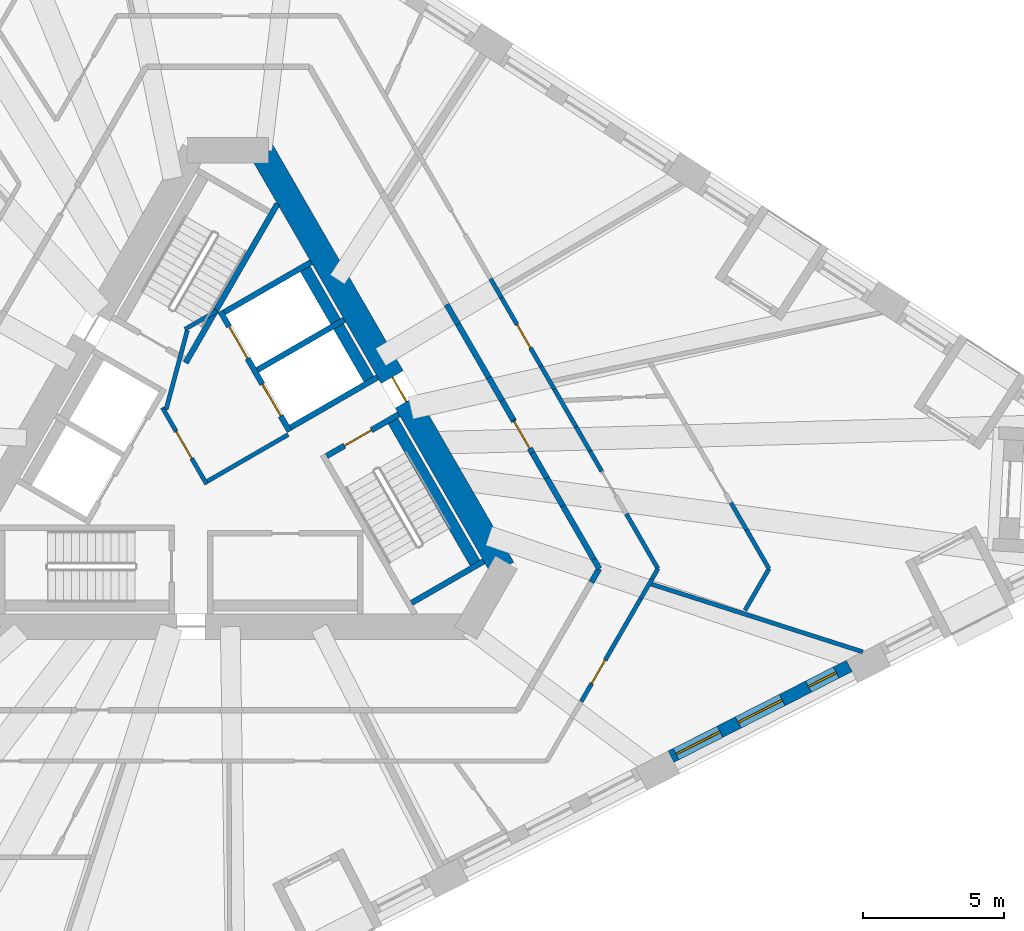
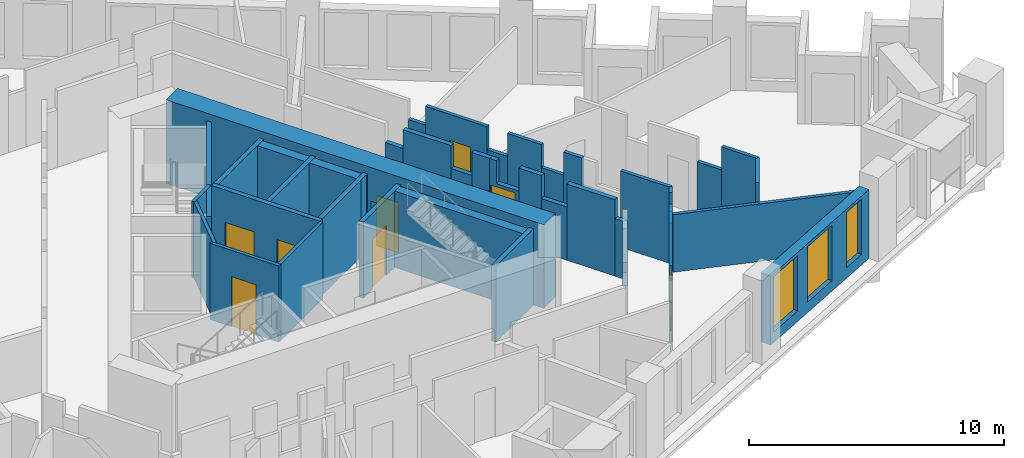
# One storey, part 5 of 12: 39 walls, 8 doors, 3 windows, 11 openings.
"""IFC4 building model written with IfcOpenShell, lengths in metres."""

from ifc_helpers import new_model, si_unit, direction, frame, frame_2d, origin, place, context, subcontext, project, spatial, polyline, rectangle, outline, extrude, material, layer, layer_set, type_object, element, fill, save


model = new_model("IFC4")

# Units and contexts
model_context = context("Model", 3, precision=1e-05, world=origin(), true_north=direction((0.0, 1.0)))
body_context = subcontext(model_context, "Body", "Model", "MODEL_VIEW")
ifc_project = project(units=[si_unit("LENGTHUNIT", "METRE"), si_unit("AREAUNIT", "SQUARE_METRE"), si_unit("VOLUMEUNIT", "CUBIC_METRE"), si_unit("PLANEANGLEUNIT", "RADIAN"), si_unit("MASSUNIT", "GRAM", prefix="KILO")], contexts=[model_context])

# Site, building, storey
site_placement = place(None, origin())
site = spatial("IfcSite", under=ifc_project, at=site_placement, CompositionType="ELEMENT")
building_placement = place(site_placement, origin())
building = spatial("IfcBuilding", under=site, at=building_placement, Name="Tramontana Tower", CompositionType="ELEMENT")
storey_placement = place(building_placement, frame((0.0, 0.0, 133.60009765625)))
storey = spatial("IfcBuildingStorey", under=building, at=storey_placement, Name="L30", CompositionType="ELEMENT", Elevation=133.60009765625)

# Wall, opening, door
ifc_material_1 = material(Name="Concrete 70 MPa", Category="concrete")
ifc_layer_1 = layer(ifc_material_1, 0.89990234375)
ifc_layer_set_1 = layer_set([ifc_layer_1], Name="Core wall 900 70 MPa")
wall_type_1 = type_object("IfcWallType", Name="Core wall 900 70 MPa", PredefinedType="SHEAR", material=ifc_layer_set_1)
wall_1_placement = place(storey_placement, frame((9.728515625, -4.25, 0.0), z_axis=(0.0, 0.0, 1.0), x_axis=(-0.500004814304, 0.866022624227, 0.0)))
wall_1 = element("IfcWall", 1, at=wall_1_placement, inside=storey, type_object=wall_type_1, Name="Core wall C5 L30", PredefinedType="SHEAR", context=body_context, shape_type="SweptSolid", body=[
    extrude(rectangle(XDim=17.089599609375, YDim=0.89990234375, at=frame_2d((8.544921875, 0.0))), origin(), (0.0, 0.0, 1.0), 4.0),
])
opening_1_placement = place(wall_1_placement, frame((6.81982421875, 0.0, 0.0)))
opening_1 = element("IfcOpeningElement", 2, at=opening_1_placement, cuts=wall_1, Name="Opening RG3", PredefinedType="OPENING", context=body_context, shape_type="SweptSolid", body=[
    extrude(rectangle(XDim=1.0, YDim=2.39990234375, at=frame_2d((0.5, 1.199951171875))), frame((0.0, 0.4599609375, 0.0), z_axis=(0.0, -1.0, 0.0), x_axis=(1.0, 0.0, 0.0)), (0.0, 0.0, 1.0), 0.919921875),
])
ifc_material_2 = material(Name="Painted steel", Category="steel")
door_type_1 = type_object("IfcDoorType", Name="RING DOOR 1000", OperationType="SINGLE_SWING_LEFT", PredefinedType="DOOR", material=ifc_material_2)
door_1_placement = place(opening_1_placement, origin())
door_1 = element("IfcDoor", 3, at=door_1_placement, inside=storey, type_object=door_type_1, Name="Door RG3", OperationType="SINGLE_SWING_LEFT", OverallHeight=2.39990234375, OverallWidth=1.0, PredefinedType="DOOR", context=body_context, shape_type="SweptSolid", body=[
    extrude(rectangle(XDim=1.0, YDim=2.39990234375, at=frame_2d((0.5, 1.199951171875))), frame((0.0, 0.02490234375, 0.0), z_axis=(0.0, -1.0, 0.0), x_axis=(1.0, 0.0, 0.0)), (0.0, 0.0, 1.0), 0.050048828125),
])
fill(opening_1, door_1)

# Walls
ifc_material_3 = material(Name="Blockwork", Category="masonry")
ifc_layer_2 = layer(ifc_material_3, 0.199951171875)
ifc_layer_set_2 = layer_set([ifc_layer_2], Name="ENTRY WALL 200")
wall_type_2 = type_object("IfcWallType", Name="ENTRY WALL 200", PredefinedType="SOLIDWALL", material=ifc_layer_set_2)
wall_2_placement = place(storey_placement, frame((7.7421875, 5.090087890625, 0.0), z_axis=(0.0, 0.0, 1.0), x_axis=(0.500109828528, -0.865961984968, 0.0)))
element("IfcWall", 4, at=wall_2_placement, inside=storey, type_object=wall_type_2, Name="Wall v30-ew0-3", PredefinedType="SOLIDWALL", context=body_context, shape_type="SweptSolid", body=[
    extrude(rectangle(XDim=0.800048828125, YDim=0.199951171875, at=frame_2d((0.39990234375, 0.0))), origin(), (0.0, 0.0, 1.0), 2.75),
])
wall_3_placement = place(storey_placement, frame((8.142333984375, 4.397216796875, 0.0), z_axis=(0.0, 0.0, 1.0), x_axis=(0.499948868167, -0.866054922749, 0.0)))
element("IfcWall", 5, at=wall_3_placement, inside=storey, type_object=wall_type_2, Name="Wall v30-ew0-4", PredefinedType="SOLIDWALL", context=body_context, shape_type="SweptSolid", body=[
    extrude(rectangle(XDim=2.177978515625, YDim=0.199951171875, at=frame_2d((1.0888671875, 0.0))), origin(), (0.0, 0.0, 1.0), 3.64990234375),
])
wall_4_placement = place(storey_placement, frame((9.231201171875, 2.510986328125, 0.0), z_axis=(0.0, 0.0, 1.0), x_axis=(0.500118100521, -0.865957207679, 0.0)))
element("IfcWall", 6, at=wall_4_placement, inside=storey, type_object=wall_type_2, Name="Wall v30-ew0-5", PredefinedType="SOLIDWALL", context=body_context, shape_type="SweptSolid", body=[
    extrude(rectangle(XDim=0.943603515625, YDim=0.199951171875, at=frame_2d((0.4716796875, 0.0))), origin(), (0.0, 0.0, 1.0), 2.5498046875),
])
wall_5_placement = place(storey_placement, frame((9.703125, 1.69384765625, 0.0), z_axis=(0.0, 0.0, 1.0), x_axis=(0.499942357345, -0.866058681229, 0.0)))
element("IfcWall", 7, at=wall_5_placement, inside=storey, type_object=wall_type_2, Name="Wall v30-ew0-6", PredefinedType="SOLIDWALL", context=body_context, shape_type="SweptSolid", body=[
    extrude(rectangle(XDim=0.80078125, YDim=0.199951171875, at=frame_2d((0.400390625, 0.0))), origin(), (0.0, 0.0, 1.0), 3.64990234375),
])

# Wall, opening, door
wall_6_placement = place(storey_placement, frame((10.103515625, 1.000244140625, 0.0), z_axis=(0.0, 0.0, 1.0), x_axis=(0.499891098986, -0.866088268685, 0.0)))
wall_6 = element("IfcWall", 8, at=wall_6_placement, inside=storey, type_object=wall_type_2, Name="Wall v30-ew0-7", PredefinedType="SOLIDWALL", context=body_context, shape_type="SweptSolid", body=[
    extrude(outline(polyline([(0.0, 0.0), (1.336669921875, 0.0), (1.336669921875, 2.5498046875), (0.313232421875, 2.5498046875), (0.313232421875, 3.64990234375), (0.0, 3.64990234375), (0.0, 0.0)])), frame((0.0, 0.10009765625, 0.0), z_axis=(0.0, -1.0, 0.0), x_axis=(1.0, 0.0, 0.0)), (0.0, 0.0, 1.0), 0.199951171875),
])
opening_2_placement = place(wall_6_placement, frame((0.050048828125, 0.0, 0.0)))
opening_2 = element("IfcOpeningElement", 9, at=opening_2_placement, cuts=wall_6, Name="Opening B3A-24", PredefinedType="OPENING", context=body_context, shape_type="SweptSolid", body=[
    extrude(rectangle(XDim=1.10009765625, YDim=2.39990234375, at=frame_2d((0.550048828125, 1.199951171875))), frame((0.0, 0.10986328125, 0.0), z_axis=(0.0, -1.0, 0.0), x_axis=(1.0, 0.0, 0.0)), (0.0, 0.0, 1.0), 0.219970703125),
])
ifc_material_4 = material(Name="Painted timber", Category="wood")
door_type_2 = type_object("IfcDoorType", Name="DOOR ENTRY 1100", OperationType="SINGLE_SWING_LEFT", PredefinedType="DOOR", material=ifc_material_4)
door_2_placement = place(opening_2_placement, origin())
door_2 = element("IfcDoor", 10, at=door_2_placement, inside=storey, type_object=door_type_2, Name="Door B3A-24", OperationType="SINGLE_SWING_RIGHT", OverallHeight=2.39990234375, OverallWidth=1.10009765625, PredefinedType="DOOR", context=body_context, shape_type="SweptSolid", body=[
    extrude(rectangle(XDim=1.10009765625, YDim=2.39990234375, at=frame_2d((0.550048828125, 1.199951171875))), frame((0.0, 0.02490234375, 0.0), z_axis=(0.0, -1.0, 0.0), x_axis=(1.0, 0.0, 0.0)), (0.0, 0.0, 1.0), 0.050048828125),
])
fill(opening_2, door_2)

# Walls
wall_7_placement = place(storey_placement, frame((10.771728515625, -0.157470703125, 0.0), z_axis=(0.0, 0.0, 1.0), x_axis=(0.500170198676, -0.865927117231, 0.0)))
element("IfcWall", 11, at=wall_7_placement, inside=storey, type_object=wall_type_2, Name="Wall v30-ew0-8", PredefinedType="SOLIDWALL", context=body_context, shape_type="SweptSolid", body=[
    extrude(rectangle(XDim=1.022705078125, YDim=0.199951171875, at=frame_2d((0.51123046875, 0.0))), origin(), (0.0, 0.0, 1.0), 3.64990234375),
])
wall_8_placement = place(storey_placement, frame((11.283203125, -1.04296875, 0.0), z_axis=(0.0, 0.0, 1.0), x_axis=(0.500001688065, -0.866024429177, 0.0)))
element("IfcWall", 12, at=wall_8_placement, inside=storey, type_object=wall_type_2, Name="Wall v30-ew0-9", PredefinedType="SOLIDWALL", context=body_context, shape_type="SweptSolid", body=[
    extrude(rectangle(XDim=1.13525390625, YDim=0.199951171875, at=frame_2d((0.567626953125, 0.0))), origin(), (0.0, 0.0, 1.0), 2.5498046875),
])
wall_9_placement = place(storey_placement, frame((11.850830078125, -2.026123046875, 0.0), z_axis=(0.0, 0.0, 1.0), x_axis=(0.50001992892, -0.866013897511, 0.0)))
element("IfcWall", 13, at=wall_9_placement, inside=storey, type_object=wall_type_2, Name="Wall v30-ew0-10", PredefinedType="SOLIDWALL", context=body_context, shape_type="SweptSolid", body=[
    extrude(rectangle(XDim=2.1787109375, YDim=0.199951171875, at=frame_2d((1.08935546875, 0.0))), origin(), (0.0, 0.0, 1.0), 3.64990234375),
])
wall_10_placement = place(storey_placement, frame((12.940185546875, -3.912841796875, 0.0), z_axis=(0.0, 0.0, 1.0), x_axis=(0.499849133735, -0.866112488944, 0.0)))
element("IfcWall", 14, at=wall_10_placement, inside=storey, type_object=wall_type_2, Name="Wall v30-ew0-11", PredefinedType="SOLIDWALL", context=body_context, shape_type="SweptSolid", body=[
    extrude(rectangle(XDim=0.38916015625, YDim=0.199951171875, at=frame_2d((0.194580078125, 0.0))), origin(), (0.0, 0.0, 1.0), 2.75),
])
wall_11_placement = place(storey_placement, frame((13.134765625, -4.25, 0.0), z_axis=(0.0, 0.0, 1.0), x_axis=(-0.499887958344, -0.866090081402, 0.0)))
element("IfcWall", 15, at=wall_11_placement, inside=storey, type_object=wall_type_2, Name="Wall v30-ew1-0", PredefinedType="SOLIDWALL", context=body_context, shape_type="SweptSolid", body=[
    extrude(rectangle(XDim=0.553466796875, YDim=0.199951171875, at=frame_2d((0.27685546875, 0.0))), origin(), (0.0, 0.0, 1.0), 2.75),
])

# Wall, openings, windows
ifc_material_5 = material(Name="Precast concrete 60 MPa", Category="concrete")
ifc_layer_3 = layer(ifc_material_5, 0.449951171875)
ifc_layer_set_3 = layer_set([ifc_layer_3], Name="Precast concrete 60 MPa, 450 mm")
wall_type_3 = type_object("IfcWallType", Name="EW1 Stone-faced precast wall 450", PredefinedType="SOLIDWALL", material=ifc_layer_set_3)
wall_12_placement = place(storey_placement, frame((15.6767578125, -10.8955078125, 0.0), z_axis=(0.0, 0.0, 1.0), x_axis=(0.891004189171, 0.45399508244, 0.0)))
wall_12 = element("IfcWall", 16, at=wall_12_placement, inside=storey, type_object=wall_type_3, Name="External wall L30 face 1 bay 5", PredefinedType="SOLIDWALL", context=body_context, shape_type="SweptSolid", body=[
    extrude(rectangle(XDim=7.071533203125, YDim=0.449951171875, at=frame_2d((3.53564453125, 0.0))), origin(), (0.0, 0.0, 1.0), 3.2998046875),
])
opening_3_placement = place(wall_12_placement, frame((0.1953125, 0.0, 0.5)))
opening_3 = element("IfcOpeningElement", 17, at=opening_3_placement, cuts=wall_12, Name="Opening M2", PredefinedType="OPENING", context=body_context, shape_type="SweptSolid", body=[
    extrude(rectangle(XDim=1.75, YDim=2.64990234375, at=frame_2d((0.875, 1.324951171875))), frame((0.0, 0.23486328125, 0.0), z_axis=(0.0, -1.0, 0.0), x_axis=(1.0, 0.0, 0.0)), (0.0, 0.0, 1.0), 0.469970703125),
])
opening_4_placement = place(wall_12_placement, frame((2.660888671875, 0.0, 0.5)))
opening_4 = element("IfcOpeningElement", 18, at=opening_4_placement, cuts=wall_12, Name="Opening M2", PredefinedType="OPENING", context=body_context, shape_type="SweptSolid", body=[
    extrude(rectangle(XDim=1.75, YDim=2.64990234375, at=frame_2d((0.875, 1.324951171875))), frame((0.0, 0.23486328125, 0.0), z_axis=(0.0, -1.0, 0.0), x_axis=(1.0, 0.0, 0.0)), (0.0, 0.0, 1.0), 0.469970703125),
])
opening_5_placement = place(wall_12_placement, frame((5.451416015625, 0.0, 0.5)))
opening_5 = element("IfcOpeningElement", 19, at=opening_5_placement, cuts=wall_12, Name="Opening N2", PredefinedType="OPENING", context=body_context, shape_type="SweptSolid", body=[
    extrude(rectangle(XDim=1.10009765625, YDim=2.64990234375, at=frame_2d((0.550048828125, 1.324951171875))), frame((0.0, 0.23486328125, 0.0), z_axis=(0.0, -1.0, 0.0), x_axis=(1.0, 0.0, 0.0)), (0.0, 0.0, 1.0), 0.469970703125),
])
ifc_material_6 = material(Name="Aluminum frame, double glazing unit", Category="aluminium")
window_type_1 = type_object("IfcWindowType", Name="M2 Window 1.75 x 2.65", PartitioningType="SINGLE_PANEL", PredefinedType="WINDOW", material=ifc_material_6)
window_1_placement = place(opening_3_placement, origin())
window_1 = element("IfcWindow", 20, at=window_1_placement, inside=storey, type_object=window_type_1, Name="Window M2 L30 face 1 module 13", OverallHeight=2.64990234375, OverallWidth=1.75, PartitioningType="SINGLE_PANEL", PredefinedType="WINDOW", context=body_context, shape_type="SweptSolid", body=[
    extrude(rectangle(XDim=1.75, YDim=2.64990234375, at=frame_2d((0.875, 1.324951171875))), frame((0.0, 0.030029296875, 0.0), z_axis=(0.0, -1.0, 0.0), x_axis=(1.0, 0.0, 0.0)), (0.0, 0.0, 1.0), 0.06005859375),
])
fill(opening_3, window_1)
window_2_placement = place(opening_4_placement, origin())
window_2 = element("IfcWindow", 21, at=window_2_placement, inside=storey, type_object=window_type_1, Name="Window M2 L30 face 1 module 14", OverallHeight=2.64990234375, OverallWidth=1.75, PartitioningType="SINGLE_PANEL", PredefinedType="WINDOW", context=body_context, shape_type="SweptSolid", body=[
    extrude(rectangle(XDim=1.75, YDim=2.64990234375, at=frame_2d((0.875, 1.324951171875))), frame((0.0, 0.030029296875, 0.0), z_axis=(0.0, -1.0, 0.0), x_axis=(1.0, 0.0, 0.0)), (0.0, 0.0, 1.0), 0.06005859375),
])
fill(opening_4, window_2)
ifc_material_7 = material(Name="Aluminum frame, double glazing unit", Category="aluminium")
window_type_2 = type_object("IfcWindowType", Name="N2 Window 1.1 x 2.65", PartitioningType="SINGLE_PANEL", PredefinedType="WINDOW", material=ifc_material_7)
window_3_placement = place(opening_5_placement, origin())
window_3 = element("IfcWindow", 22, at=window_3_placement, inside=storey, type_object=window_type_2, Name="Window N2 L30 face 1 module 15", OverallHeight=2.64990234375, OverallWidth=1.10009765625, PartitioningType="SINGLE_PANEL", PredefinedType="WINDOW", context=body_context, shape_type="SweptSolid", body=[
    extrude(rectangle(XDim=1.10009765625, YDim=2.64990234375, at=frame_2d((0.550048828125, 1.324951171875))), frame((0.0, 0.030029296875, 0.0), z_axis=(0.0, -1.0, 0.0), x_axis=(1.0, 0.0, 0.0)), (0.0, 0.0, 1.0), 0.06005859375),
])
fill(opening_5, window_3)

# Wall, opening, door
ifc_material_8 = material(Name="Gypsum board partition")
ifc_layer_4 = layer(ifc_material_8, 0.14990234375)
ifc_layer_set_4 = layer_set([ifc_layer_4], Name="PARTITION 150")
wall_type_4 = type_object("IfcWallType", Name="PARTITION 150", PredefinedType="PARTITIONING", material=ifc_layer_set_4)
wall_13_placement = place(storey_placement, frame((-0.744140625, -1.260986328125, 0.0), z_axis=(0.0, 0.0, 1.0), x_axis=(-0.500004234368, 0.866022959057, 0.0)))
wall_13 = element("IfcWall", 23, at=wall_13_placement, inside=storey, type_object=wall_type_4, Name="Wall ff-front", PredefinedType="PARTITIONING", context=body_context, shape_type="SweptSolid", body=[
    extrude(rectangle(XDim=3.125, YDim=0.14990234375, at=frame_2d((1.5625, 0.0))), origin(), (0.0, 0.0, 1.0), 3.64990234375),
])
opening_6_placement = place(wall_13_placement, frame((1.050048828125, 0.0, 0.0)))
opening_6 = element("IfcOpeningElement", 24, at=opening_6_placement, cuts=wall_13, Name="Opening FD1", PredefinedType="OPENING", context=body_context, shape_type="SweptSolid", body=[
    extrude(rectangle(XDim=1.10009765625, YDim=2.39990234375, at=frame_2d((0.550048828125, 1.199951171875))), frame((0.0, 0.0849609375, 0.0), z_axis=(0.0, -1.0, 0.0), x_axis=(1.0, 0.0, 0.0)), (0.0, 0.0, 1.0), 0.169921875),
])
door_3_placement = place(opening_6_placement, origin())
door_3 = element("IfcDoor", 25, at=door_3_placement, inside=storey, type_object=door_type_2, Name="Door FD1", OperationType="SINGLE_SWING_RIGHT", OverallHeight=2.39990234375, OverallWidth=1.10009765625, PredefinedType="DOOR", context=body_context, shape_type="SweptSolid", body=[
    extrude(rectangle(XDim=1.10009765625, YDim=2.39990234375, at=frame_2d((0.550048828125, 1.199951171875))), frame((0.0, 0.02490234375, 0.0), z_axis=(0.0, -1.0, 0.0), x_axis=(1.0, 0.0, 0.0)), (0.0, 0.0, 1.0), 0.050048828125),
])
fill(opening_6, door_3)

# Walls
wall_14_placement = place(storey_placement, frame((-0.716796875, -1.15869140625, 0.0), z_axis=(0.0, 0.0, 1.0), x_axis=(0.866008176907, 0.50002983664, 0.0)))
element("IfcWall", 26, at=wall_14_placement, inside=storey, type_object=wall_type_4, Name="Wall ff-end0", PredefinedType="PARTITIONING", context=body_context, shape_type="SweptSolid", body=[
    extrude(rectangle(XDim=3.300048828125, YDim=0.14990234375, at=frame_2d((1.64990234375, 0.0))), origin(), (0.0, 0.0, 1.0), 3.64990234375),
])
wall_15_placement = place(storey_placement, frame((-2.177978515625, 1.372314453125, 0.0), z_axis=(0.0, 0.0, 1.0), x_axis=(0.258808958833, 0.96592852884, 0.0)))
element("IfcWall", 27, at=wall_15_placement, inside=storey, type_object=wall_type_4, Name="Wall ff-diag", PredefinedType="PARTITIONING", context=body_context, shape_type="SweptSolid", body=[
    extrude(rectangle(XDim=2.902587890625, YDim=0.14990234375, at=frame_2d((1.451171875, 0.0))), origin(), (0.0, 0.0, 1.0), 3.64990234375),
])
wall_16_placement = place(storey_placement, frame((-1.509765625, 4.21484375, 0.0), z_axis=(0.0, 0.0, 1.0), x_axis=(0.866085525409, 0.49989585183, 0.0)))
element("IfcWall", 28, at=wall_16_placement, inside=storey, type_object=wall_type_4, Name="Wall ff-end1", PredefinedType="PARTITIONING", context=body_context, shape_type="SweptSolid", body=[
    extrude(rectangle(XDim=1.300048828125, YDim=0.14990234375, at=frame_2d((0.64990234375, 0.0))), origin(), (0.0, 0.0, 1.0), 3.64990234375),
])
wall_17_placement = place(storey_placement, frame((9.2939453125, 6.00244140625, 0.0), z_axis=(0.0, 0.0, 1.0), x_axis=(0.499831512295, -0.866122658356, 0.0)))
element("IfcWall", 29, at=wall_17_placement, inside=storey, type_object=wall_type_4, Name="Wall v30-pw20-3", PredefinedType="PARTITIONING", context=body_context, shape_type="SweptSolid", body=[
    extrude(rectangle(XDim=0.775146484375, YDim=0.14990234375, at=frame_2d((0.3876953125, 0.0))), origin(), (0.0, 0.0, 1.0), 2.75),
])

# Wall, opening, door
wall_18_placement = place(storey_placement, frame((9.681396484375, 5.3310546875, 0.0), z_axis=(0.0, 0.0, 1.0), x_axis=(0.500034735108, -0.866005348532, 0.0)))
wall_18 = element("IfcWall", 30, at=wall_18_placement, inside=storey, type_object=wall_type_4, Name="Wall v30-pw20-4", PredefinedType="PARTITIONING", context=body_context, shape_type="SweptSolid", body=[
    extrude(rectangle(XDim=2.797119140625, YDim=0.14990234375, at=frame_2d((1.3984375, 0.0))), origin(), (0.0, 0.0, 1.0), 3.64990234375),
])
opening_7_placement = place(wall_18_placement, frame((1.099853515625, 0.0, 0.0)))
opening_7 = element("IfcOpeningElement", 31, at=opening_7_placement, cuts=wall_18, Name="Opening B3A-15", PredefinedType="OPENING", context=body_context, shape_type="SweptSolid", body=[
    extrude(rectangle(XDim=0.949951171875, YDim=2.39990234375, at=frame_2d((0.47509765625, 1.199951171875))), frame((0.0, 0.0849609375, 0.0), z_axis=(0.0, -1.0, 0.0), x_axis=(1.0, 0.0, 0.0)), (0.0, 0.0, 1.0), 0.169921875),
])
ifc_material_9 = material(Name="Painted timber", Category="wood")
door_type_3 = type_object("IfcDoorType", Name="DOOR ROOM 950", OperationType="SINGLE_SWING_LEFT", PredefinedType="DOOR", material=ifc_material_9)
door_4_placement = place(opening_7_placement, origin())
door_4 = element("IfcDoor", 32, at=door_4_placement, inside=storey, type_object=door_type_3, Name="Door B3A-15", OperationType="SINGLE_SWING_LEFT", OverallHeight=2.39990234375, OverallWidth=0.949951171875, PredefinedType="DOOR", context=body_context, shape_type="SweptSolid", body=[
    extrude(rectangle(XDim=0.949951171875, YDim=2.39990234375, at=frame_2d((0.47509765625, 1.199951171875))), frame((0.0, 0.02490234375, 0.0), z_axis=(0.0, -1.0, 0.0), x_axis=(1.0, 0.0, 0.0)), (0.0, 0.0, 1.0), 0.050048828125),
])
fill(opening_7, door_4)

# Walls
wall_19_placement = place(storey_placement, frame((11.080078125, 2.90869140625, 0.0), z_axis=(0.0, 0.0, 1.0), x_axis=(0.500060322201, -0.865990573944, 0.0)))
element("IfcWall", 33, at=wall_19_placement, inside=storey, type_object=wall_type_4, Name="Wall v30-pw20-5", PredefinedType="PARTITIONING", context=body_context, shape_type="SweptSolid", body=[
    extrude(rectangle(XDim=0.91748046875, YDim=0.14990234375, at=frame_2d((0.458740234375, 0.0))), origin(), (0.0, 0.0, 1.0), 2.5498046875),
])
wall_20_placement = place(storey_placement, frame((11.538818359375, 2.1142578125, 0.0), z_axis=(0.0, 0.0, 1.0), x_axis=(0.499986163319, -0.866033392248, 0.0)))
element("IfcWall", 34, at=wall_20_placement, inside=storey, type_object=wall_type_4, Name="Wall v30-pw20-6", PredefinedType="PARTITIONING", context=body_context, shape_type="SweptSolid", body=[
    extrude(rectangle(XDim=1.54931640625, YDim=0.14990234375, at=frame_2d((0.774658203125, 0.0))), origin(), (0.0, 0.0, 1.0), 3.64990234375),
])
wall_21_placement = place(storey_placement, frame((12.3134765625, 0.7724609375, 0.0), z_axis=(0.0, 0.0, 1.0), x_axis=(0.499991453095, -0.866030338286, 0.0)))
element("IfcWall", 35, at=wall_21_placement, inside=storey, type_object=wall_type_4, Name="Wall v30-pw20-7", PredefinedType="PARTITIONING", context=body_context, shape_type="SweptSolid", body=[
    extrude(rectangle(XDim=0.9951171875, YDim=0.14990234375, at=frame_2d((0.49755859375, 0.0))), origin(), (0.0, 0.0, 1.0), 2.5498046875),
])
wall_22_placement = place(storey_placement, frame((12.81103515625, -0.08935546875, 0.0), z_axis=(0.0, 0.0, 1.0), x_axis=(0.500012022864, -0.866018462269, 0.0)))
element("IfcWall", 36, at=wall_22_placement, inside=storey, type_object=wall_type_4, Name="Wall v30-pw20-8", PredefinedType="PARTITIONING", context=body_context, shape_type="SweptSolid", body=[
    extrude(rectangle(XDim=0.8271484375, YDim=0.14990234375, at=frame_2d((0.41357421875, 0.0))), origin(), (0.0, 0.0, 1.0), 3.64990234375),
])
wall_23_placement = place(storey_placement, frame((14.09375, -2.31103515625, 0.0), z_axis=(0.0, 0.0, 1.0), x_axis=(0.499974169222, -0.866040316677, 0.0)))
element("IfcWall", 37, at=wall_23_placement, inside=storey, type_object=wall_type_4, Name="Wall v30-pw20-10", PredefinedType="PARTITIONING", context=body_context, shape_type="SweptSolid", body=[
    extrude(rectangle(XDim=2.23876953125, YDim=0.14990234375, at=frame_2d((1.119384765625, 0.0))), origin(), (0.0, 0.0, 1.0), 3.64990234375),
])
wall_24_placement = place(storey_placement, frame((17.79345703125, -1.919189453125, 0.0), z_axis=(0.0, 0.0, 1.0), x_axis=(0.500111757231, -0.865960871102, 0.0)))
element("IfcWall", 38, at=wall_24_placement, inside=storey, type_object=wall_type_4, Name="Wall v30-pw31-4", PredefinedType="PARTITIONING", context=body_context, shape_type="SweptSolid", body=[
    extrude(rectangle(XDim=1.103759765625, YDim=0.14990234375, at=frame_2d((0.5517578125, 0.0))), origin(), (0.0, 0.0, 1.0), 2.5498046875),
])
wall_25_placement = place(storey_placement, frame((18.345458984375, -2.875, 0.0), z_axis=(0.0, 0.0, 1.0), x_axis=(0.499926564348, -0.866067797727, 0.0)))
element("IfcWall", 39, at=wall_25_placement, inside=storey, type_object=wall_type_4, Name="Wall v30-pw31-5", PredefinedType="PARTITIONING", context=body_context, shape_type="SweptSolid", body=[
    extrude(rectangle(XDim=1.587646484375, YDim=0.14990234375, at=frame_2d((0.7939453125, 0.0))), origin(), (0.0, 0.0, 1.0), 3.64990234375),
])
wall_26_placement = place(storey_placement, frame((15.213134765625, -4.25, 0.0), z_axis=(0.0, 0.0, 1.0), x_axis=(-0.499922110319, -0.866070368743, 0.0)))
element("IfcWall", 40, at=wall_26_placement, inside=storey, type_object=wall_type_4, Name="Wall v30-pw32-0", PredefinedType="PARTITIONING", context=body_context, shape_type="SweptSolid", body=[
    extrude(rectangle(XDim=0.42333984375, YDim=0.14990234375, at=frame_2d((0.211669921875, 0.0))), origin(), (0.0, 0.0, 1.0), 3.64990234375),
])
wall_27_placement = place(storey_placement, frame((15.00146484375, -4.61669921875, 0.0), z_axis=(0.0, 0.0, 1.0), x_axis=(-0.49989173393, -0.866087902207, 0.0)))
element("IfcWall", 41, at=wall_27_placement, inside=storey, type_object=wall_type_4, Name="Wall v30-pw32-1", PredefinedType="PARTITIONING", context=body_context, shape_type="SweptSolid", body=[
    extrude(rectangle(XDim=0.790771484375, YDim=0.14990234375, at=frame_2d((0.3955078125, 0.0))), origin(), (0.0, 0.0, 1.0), 2.75),
])

# Wall, opening, door
wall_28_placement = place(storey_placement, frame((14.606201171875, -5.301513671875, 0.0), z_axis=(0.0, 0.0, 1.0), x_axis=(-0.50004374799, -0.866000144397, 0.0)))
wall_28 = element("IfcWall", 42, at=wall_28_placement, inside=storey, type_object=wall_type_4, Name="Wall v30-pw32-2", PredefinedType="PARTITIONING", context=body_context, shape_type="SweptSolid", body=[
    extrude(rectangle(XDim=4.20947265625, YDim=0.14990234375, at=frame_2d((2.104736328125, 0.0))), origin(), (0.0, 0.0, 1.0), 3.64990234375),
])
opening_8_placement = place(wall_28_placement, frame((2.517822265625, 0.0, 0.0)))
opening_8 = element("IfcOpeningElement", 43, at=opening_8_placement, cuts=wall_28, Name="Opening B3A-14", PredefinedType="OPENING", context=body_context, shape_type="SweptSolid", body=[
    extrude(rectangle(XDim=0.949951171875, YDim=2.39990234375, at=frame_2d((0.47509765625, 1.199951171875))), frame((0.0, 0.0849609375, 0.0), z_axis=(0.0, -1.0, 0.0), x_axis=(1.0, 0.0, 0.0)), (0.0, 0.0, 1.0), 0.169921875),
])
door_5_placement = place(opening_8_placement, origin())
door_5 = element("IfcDoor", 44, at=door_5_placement, inside=storey, type_object=door_type_3, Name="Door B3A-14", OperationType="SINGLE_SWING_RIGHT", OverallHeight=2.39990234375, OverallWidth=0.949951171875, PredefinedType="DOOR", context=body_context, shape_type="SweptSolid", body=[
    extrude(rectangle(XDim=0.949951171875, YDim=2.39990234375, at=frame_2d((0.47509765625, 1.199951171875))), frame((0.0, 0.02490234375, 0.0), z_axis=(0.0, -1.0, 0.0), x_axis=(1.0, 0.0, 0.0)), (0.0, 0.0, 1.0), 0.050048828125),
])
fill(opening_8, door_5)

# Walls
wall_29_placement = place(storey_placement, frame((19.13916015625, -4.25, 0.0), z_axis=(0.0, 0.0, 1.0), x_axis=(-0.49996337474, -0.866046548355, 0.0)))
element("IfcWall", 45, at=wall_29_placement, inside=storey, type_object=wall_type_4, Name="Wall v30-pw33-0", PredefinedType="PARTITIONING", context=body_context, shape_type="SweptSolid", body=[
    extrude(rectangle(XDim=1.696044921875, YDim=0.14990234375, at=frame_2d((0.84814453125, 0.0))), origin(), (0.0, 0.0, 1.0), 3.64990234375),
])
wall_30_placement = place(storey_placement, frame((22.454345703125, -7.189453125, 0.0), z_axis=(0.0, 0.0, 1.0), x_axis=(-0.952376070942, 0.304925924606, 0.0)))
element("IfcWall", 46, at=wall_30_placement, inside=storey, type_object=wall_type_4, Name="Wall v30-pw34-0", PredefinedType="PARTITIONING", context=body_context, shape_type="SweptSolid", body=[
    extrude(rectangle(XDim=7.843994140625, YDim=0.14990234375, at=frame_2d((3.921875, 0.0))), origin(), (0.0, 0.0, 1.0), 2.75),
])
ifc_material_10 = material(Name="Concrete 70 MPa", Category="concrete")
ifc_layer_5 = layer(ifc_material_10, 0.39990234375)
ifc_layer_set_5 = layer_set([ifc_layer_5], Name="Concrete 70 MPa, 400 mm")
wall_type_5 = type_object("IfcWallType", Name="RC SHAFT BACK WALL 400", PredefinedType="SOLIDWALL", material=ifc_layer_set_5)
wall_31_placement = place(storey_placement, frame((8.846435546875, -4.222412109375, 0.0), z_axis=(0.0, 0.0, 1.0), x_axis=(-0.500009909098, 0.866019682689, 0.0)))
element("IfcWall", 47, at=wall_31_placement, inside=storey, type_object=wall_type_5, Name="Wall st3-back", PredefinedType="SOLIDWALL", context=body_context, shape_type="SweptSolid", body=[
    extrude(rectangle(XDim=6.199951171875, YDim=0.39990234375, at=frame_2d((3.10009765625, 0.0))), origin(), (0.0, 0.0, 1.0), 3.64990234375),
])
wall_32_placement = place(storey_placement, frame((5.091552734375, 2.28125, 0.0), z_axis=(0.0, 0.0, 1.0), x_axis=(-0.500018594424, 0.866014668023, 0.0)))
element("IfcWall", 48, at=wall_32_placement, inside=storey, type_object=wall_type_5, Name="Wall row2-back", PredefinedType="SOLIDWALL", context=body_context, shape_type="SweptSolid", body=[
    extrude(rectangle(XDim=4.900146484375, YDim=0.39990234375, at=frame_2d((2.4501953125, 0.0))), origin(), (0.0, 0.0, 1.0), 3.64990234375),
])
ifc_material_11 = material(Name="Concrete 70 MPa", Category="concrete")
ifc_layer_6 = layer(ifc_material_11, 0.199951171875)
ifc_layer_set_6 = layer_set([ifc_layer_6], Name="Concrete 70 MPa, 200 mm")
wall_type_6 = type_object("IfcWallType", Name="RC STAIR AND SHAFT WALL 200", PredefinedType="SOLIDWALL", material=ifc_layer_set_6)
wall_33_placement = place(storey_placement, frame((1.760986328125, 8.64990234375, 0.0), z_axis=(0.0, 0.0, 1.0), x_axis=(-0.500010023241, -0.866019616786, 0.0)))
element("IfcWall", 49, at=wall_33_placement, inside=storey, type_object=wall_type_6, Name="Wall st1-front", PredefinedType="SOLIDWALL", context=body_context, shape_type="SweptSolid", body=[
    extrude(rectangle(XDim=6.491455078125, YDim=0.199951171875, at=frame_2d((3.24560546875, 0.0))), origin(), (0.0, 0.0, 1.0), 3.64990234375),
])
wall_34_placement = place(storey_placement, frame((6.50146484375, -5.4609375, 0.0), z_axis=(0.0, 0.0, 1.0), x_axis=(0.866003658127, 0.500037662692, 0.0)))
element("IfcWall", 50, at=wall_34_placement, inside=storey, type_object=wall_type_6, Name="Wall st3-far", PredefinedType="SOLIDWALL", context=body_context, shape_type="SweptSolid", body=[
    extrude(rectangle(XDim=2.949951171875, YDim=0.199951171875, at=frame_2d((1.47509765625, 0.0))), origin(), (0.0, 0.0, 1.0), 3.64990234375),
])

# Wall, opening, door
wall_35_placement = place(storey_placement, frame((3.50146484375, -0.2646484375, 0.0), z_axis=(0.0, 0.0, 1.0), x_axis=(0.866039495442, 0.49997559174, 0.0)))
wall_35 = element("IfcWall", 51, at=wall_35_placement, inside=storey, type_object=wall_type_6, Name="Wall st3-near", PredefinedType="SOLIDWALL", context=body_context, shape_type="SweptSolid", body=[
    extrude(rectangle(XDim=2.949951171875, YDim=0.199951171875, at=frame_2d((1.47509765625, 0.0))), origin(), (0.0, 0.0, 1.0), 3.64990234375),
])
opening_9_placement = place(wall_35_placement, frame((0.72509765625, 0.0, 0.0)))
opening_9 = element("IfcOpeningElement", 52, at=opening_9_placement, cuts=wall_35, Name="Opening SD3", PredefinedType="OPENING", context=body_context, shape_type="SweptSolid", body=[
    extrude(rectangle(XDim=1.10009765625, YDim=2.39990234375, at=frame_2d((0.550048828125, 1.199951171875))), frame((0.0, 0.10986328125, 0.0), z_axis=(0.0, -1.0, 0.0), x_axis=(1.0, 0.0, 0.0)), (0.0, 0.0, 1.0), 0.219970703125),
])
ifc_material_12 = material(Name="Painted steel", Category="steel")
door_type_4 = type_object("IfcDoorType", Name="STAIR DOOR 1100", OperationType="SINGLE_SWING_LEFT", PredefinedType="DOOR", material=ifc_material_12)
door_6_placement = place(opening_9_placement, origin())
door_6 = element("IfcDoor", 53, at=door_6_placement, inside=storey, type_object=door_type_4, Name="Door SD3", OperationType="SINGLE_SWING_RIGHT", OverallHeight=2.39990234375, OverallWidth=1.10009765625, PredefinedType="DOOR", context=body_context, shape_type="SweptSolid", body=[
    extrude(rectangle(XDim=1.10009765625, YDim=2.39990234375, at=frame_2d((0.550048828125, 1.199951171875))), frame((0.0, 0.02490234375, 0.0), z_axis=(0.0, -1.0, 0.0), x_axis=(1.0, 0.0, 0.0)), (0.0, 0.0, 1.0), 0.050048828125),
])
fill(opening_9, door_6)

# Wall, openings, doors
wall_36_placement = place(storey_placement, frame((2.190185546875, 0.6064453125, 0.0), z_axis=(0.0, 0.0, 1.0), x_axis=(-0.500002801628, 0.866023786258, 0.0)))
wall_36 = element("IfcWall", 54, at=wall_36_placement, inside=storey, type_object=wall_type_6, Name="Wall row2-front", PredefinedType="SOLIDWALL", context=body_context, shape_type="SweptSolid", body=[
    extrude(rectangle(XDim=4.89990234375, YDim=0.199951171875, at=frame_2d((2.449951171875, 0.0))), origin(), (0.0, 0.0, 1.0), 3.64990234375),
])
opening_10_placement = place(wall_36_placement, frame((0.625, 0.0, 0.0)))
opening_10 = element("IfcOpeningElement", 55, at=opening_10_placement, cuts=wall_36, Name="Opening LD-F1", PredefinedType="OPENING", context=body_context, shape_type="SweptSolid", body=[
    extrude(rectangle(XDim=1.300048828125, YDim=2.10009765625, at=frame_2d((0.64990234375, 1.050048828125))), frame((0.0, 0.10986328125, 0.0), z_axis=(0.0, -1.0, 0.0), x_axis=(1.0, 0.0, 0.0)), (0.0, 0.0, 1.0), 0.219970703125),
])
opening_11_placement = place(wall_36_placement, frame((2.97509765625, 0.0, 0.0)))
opening_11 = element("IfcOpeningElement", 56, at=opening_11_placement, cuts=wall_36, Name="Opening LD-F2", PredefinedType="OPENING", context=body_context, shape_type="SweptSolid", body=[
    extrude(rectangle(XDim=1.300048828125, YDim=2.10009765625, at=frame_2d((0.64990234375, 1.050048828125))), frame((0.0, 0.10986328125, 0.0), z_axis=(0.0, -1.0, 0.0), x_axis=(1.0, 0.0, 0.0)), (0.0, 0.0, 1.0), 0.219970703125),
])
ifc_material_13 = material(Name="Brushed steel", Category="steel")
door_type_5 = type_object("IfcDoorType", Name="LANDING DOOR 1300", OperationType="SINGLE_SWING_LEFT", PredefinedType="DOOR", material=ifc_material_13)
door_7_placement = place(opening_10_placement, origin())
door_7 = element("IfcDoor", 57, at=door_7_placement, inside=storey, type_object=door_type_5, Name="Door LD-F1", OperationType="SLIDING_TO_RIGHT", OverallHeight=2.10009765625, OverallWidth=1.300048828125, PredefinedType="DOOR", context=body_context, shape_type="SweptSolid", body=[
    extrude(rectangle(XDim=1.300048828125, YDim=2.10009765625, at=frame_2d((0.64990234375, 1.050048828125))), frame((0.0, 0.02490234375, 0.0), z_axis=(0.0, -1.0, 0.0), x_axis=(1.0, 0.0, 0.0)), (0.0, 0.0, 1.0), 0.050048828125),
])
fill(opening_10, door_7)
door_8_placement = place(opening_11_placement, origin())
door_8 = element("IfcDoor", 58, at=door_8_placement, inside=storey, type_object=door_type_5, Name="Door LD-F2", OperationType="SLIDING_TO_LEFT", OverallHeight=2.10009765625, OverallWidth=1.300048828125, PredefinedType="DOOR", context=body_context, shape_type="SweptSolid", body=[
    extrude(rectangle(XDim=1.300048828125, YDim=2.10009765625, at=frame_2d((0.64990234375, 1.050048828125))), frame((0.0, 0.02490234375, 0.0), z_axis=(0.0, -1.0, 0.0), x_axis=(1.0, 0.0, 0.0)), (0.0, 0.0, 1.0), 0.050048828125),
])
fill(opening_11, door_8)

# Walls
for number, where, z_axis, x_axis, name in (
    (59, (2.226806640625, 0.742919921875, 0.0), (0.0, 0.0, 1.0), (0.866012656725, 0.500022077904, 0.0), "Wall row2-side0"),
    (60, (1.0517578125, 2.778076171875, 0.0), (0.0, 0.0, 1.0), (0.866012656725, 0.500022077904, 0.0), "Wall row2-side1"),
):
    element("IfcWall", number, at=place(storey_placement, frame(where, z_axis=z_axis, x_axis=x_axis)), inside=storey, type_object=wall_type_6, Name=name, PredefinedType="SOLIDWALL", context=body_context, shape_type="SweptSolid", body=[
        extrude(rectangle(XDim=3.550048828125, YDim=0.199951171875, at=frame_2d((1.77490234375, 0.0))), origin(), (0.0, 0.0, 1.0), 3.64990234375),
    ])
wall_37_placement = place(storey_placement, frame((-0.123046875, 4.813232421875, 0.0), z_axis=(0.0, 0.0, 1.0), x_axis=(0.865995461329, 0.500051858269, 0.0)))
element("IfcWall", 61, at=wall_37_placement, inside=storey, type_object=wall_type_6, Name="Wall row2-side2", PredefinedType="SOLIDWALL", context=body_context, shape_type="SweptSolid", body=[
    extrude(rectangle(XDim=3.5498046875, YDim=0.199951171875, at=frame_2d((1.77490234375, 0.0))), origin(), (0.0, 0.0, 1.0), 3.64990234375),
])

save(model, "model.ifc")
